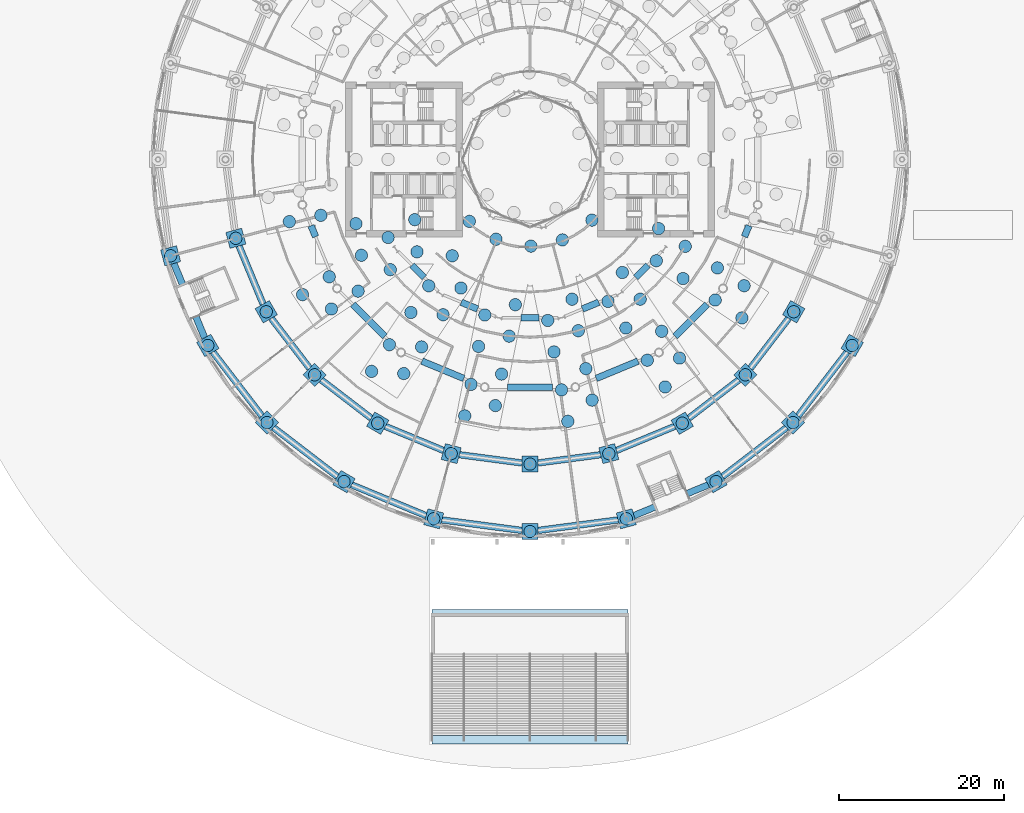
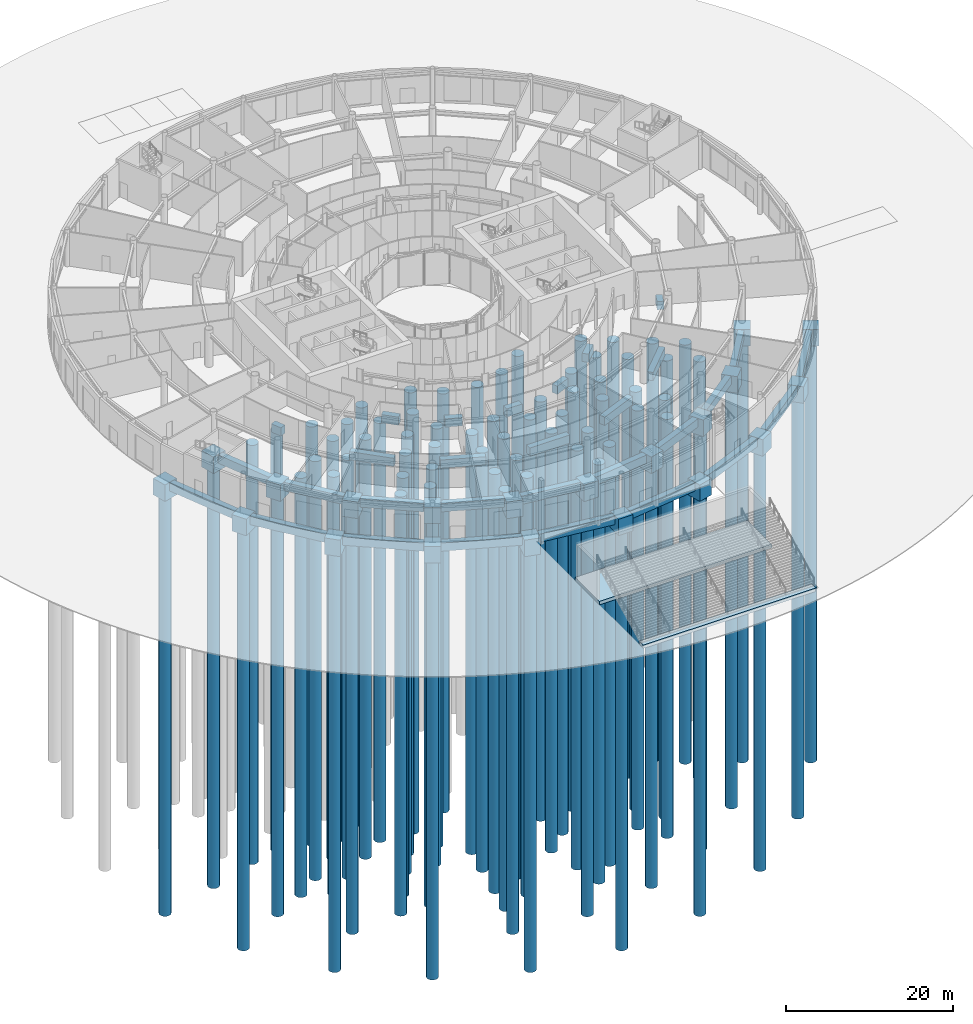
# One storey, part 1 of 41: 78 piles, 52 footings.
"""IFC4 building model written with IfcOpenShell, lengths in metres."""

from ifc_helpers import new_model, si_unit, direction, frame, origin, origin_2d, place, context, subcontext, project, spatial, polyline, rectangle, circle, outline, extrude, material, layer, layer_set, material_profile, profile_set, type_object, element, save


model = new_model("IFC4")

# Units and contexts
model_context = context("Model", 3, precision=1e-05, world=origin(), true_north=direction((0.0, 1.0)))
body_context = subcontext(model_context, "Body", "Model", "MODEL_VIEW")
ifc_project = project(units=[si_unit("LENGTHUNIT", "METRE"), si_unit("AREAUNIT", "SQUARE_METRE"), si_unit("VOLUMEUNIT", "CUBIC_METRE"), si_unit("PLANEANGLEUNIT", "RADIAN"), si_unit("MASSUNIT", "GRAM", prefix="KILO")], contexts=[model_context])

# Site, building, storey
site_placement = place(None, origin())
site = spatial("IfcSite", under=ifc_project, at=site_placement, CompositionType="ELEMENT")
building_placement = place(site_placement, origin())
building = spatial("IfcBuilding", under=site, at=building_placement, Name="Maasbend Ring Residences", CompositionType="ELEMENT")
storey_placement = place(building_placement, origin())
storey = spatial("IfcBuildingStorey", under=building, at=storey_placement, Name="L00", CompositionType="ELEMENT", Elevation=0.0)

# Piles
ifc_material_1 = material(Name="Concrete C35/45", Category="concrete")
ifc_material_profile_1 = material_profile(ifc_material_1, circle(Radius=0.75, at=origin_2d()), Name="Bored pile D1500")
ifc_profile_set_1 = profile_set([ifc_material_profile_1], Name="Concrete C35/45")
pile_type = type_object("IfcPileType", Name="Bored pile D1500", PredefinedType="BORED", material=ifc_profile_set_1)
for number, where, z_axis, x_axis, name in (
    (1, (4.594970703125, -31.814697265625, -2.75), (0.0, 0.0, -1.0), (1.0, 0.0, 0.0), "Bored pile P025"),
    (2, (-7.9296875, -31.151611328125, -2.75), (0.0, 0.0, -1.0), (1.0, 0.0, 0.0), "Bored pile P026"),
    (3, (-4.214599609375, -29.90234375, -2.75), (0.0, 0.0, -1.0), (1.0, 0.0, 0.0), "Bored pile P027"),
    (4, (7.54931640625, -29.239013671875, -2.75), (0.0, 0.0, -1.0), (1.0, 0.0, 0.0), "Bored pile P028"),
    (5, (3.834228515625, -27.98974609375, -2.75), (0.0, 0.0, -1.0), (1.0, 0.0, 0.0), "Bored pile P029"),
    (6, (16.42041015625, -27.634521484375, -2.75), (0.0, 0.0, -1.0), (1.0, 0.0, 0.0), "Bored pile P030"),
    (7, (-7.168701171875, -27.326416015625, -2.75), (0.0, 0.0, -1.0), (1.0, 0.0, 0.0), "Bored pile P031"),
    (8, (-3.45361328125, -26.0771484375, -2.75), (0.0, 0.0, -1.0), (1.0, 0.0, 0.0), "Bored pile P032"),
    (9, (-15.3369140625, -26.01318359375, -2.75), (0.0, 0.0, -1.0), (1.0, 0.0, 0.0), "Bored pile P033"),
    (10, (-19.247314453125, -25.74560546875, -2.75), (0.0, 0.0, -1.0), (1.0, 0.0, 0.0), "Bored pile P034"),
    (11, (6.788330078125, -25.413818359375, -2.75), (0.0, 0.0, -1.0), (1.0, 0.0, 0.0), "Bored pile P035"),
    (12, (14.253662109375, -24.391845703125, -2.75), (0.0, 0.0, -1.0), (1.0, 0.0, 0.0), "Bored pile P036"),
    (13, (18.1640625, -24.124267578125, -2.75), (0.0, 0.0, -1.0), (1.0, 0.0, 0.0), "Bored pile P037"),
    (14, (2.917236328125, -23.380126953125, -2.75), (0.0, 0.0, -1.0), (1.0, 0.0, 0.0), "Bored pile P038"),
    (15, (-13.170166015625, -22.7705078125, -2.75), (0.0, 0.0, -1.0), (1.0, 0.0, 0.0), "Bored pile P039"),
    (16, (-6.251953125, -22.716796875, -2.75), (0.0, 0.0, -1.0), (1.0, 0.0, 0.0), "Bored pile P040"),
    (17, (-17.08056640625, -22.5029296875, -2.75), (0.0, 0.0, -1.0), (1.0, 0.0, 0.0), "Bored pile P041"),
    (18, (-2.536865234375, -21.467529296875, -2.75), (0.0, 0.0, -1.0), (1.0, 0.0, 0.0), "Bored pile P042"),
    (19, (15.997314453125, -20.881591796875, -2.75), (0.0, 0.0, -1.0), (1.0, 0.0, 0.0), "Bored pile P043"),
    (20, (5.87158203125, -20.80419921875, -2.75), (0.0, 0.0, -1.0), (1.0, 0.0, 0.0), "Bored pile P044"),
    (21, (11.642333984375, -20.48388671875, -2.75), (0.0, 0.0, -1.0), (1.0, 0.0, 0.0), "Bored pile P045"),
    (22, (2.156494140625, -19.55517578125, -2.75), (0.0, 0.0, -1.0), (1.0, 0.0, 0.0), "Bored pile P046"),
    (23, (25.74560546875, -19.247314453125, -2.75), (0.0, 0.0, -1.0), (1.0, 0.0, 0.0), "Bored pile P047"),
    (24, (-5.4912109375, -18.8916015625, -2.75), (0.0, 0.0, -1.0), (1.0, 0.0, 0.0), "Bored pile P048"),
    (25, (-10.55908203125, -18.862548828125, -2.75), (0.0, 0.0, -1.0), (1.0, 0.0, 0.0), "Bored pile P049"),
    (26, (-14.469482421875, -18.59521484375, -2.75), (0.0, 0.0, -1.0), (1.0, 0.0, 0.0), "Bored pile P050"),
    (27, (-24.124267578125, -18.1640625, -2.75), (0.0, 0.0, -1.0), (1.0, 0.0, 0.0), "Bored pile P051"),
    (28, (-1.77587890625, -17.642578125, -2.75), (0.0, 0.0, -1.0), (1.0, 0.0, 0.0), "Bored pile P052"),
    (29, (9.4755859375, -17.2412109375, -2.75), (0.0, 0.0, -1.0), (1.0, 0.0, 0.0), "Bored pile P053"),
    (30, (22.5029296875, -17.08056640625, -2.75), (0.0, 0.0, -1.0), (1.0, 0.0, 0.0), "Bored pile P054"),
    (31, (5.110595703125, -16.979248046875, -2.75), (0.0, 0.0, -1.0), (1.0, 0.0, 0.0), "Bored pile P055"),
    (32, (13.385986328125, -16.9736328125, -2.75), (0.0, 0.0, -1.0), (1.0, 0.0, 0.0), "Bored pile P056"),
    (33, (-27.634521484375, -16.42041015625, -2.75), (0.0, 0.0, -1.0), (1.0, 0.0, 0.0), "Bored pile P057"),
    (34, (-20.881591796875, -15.997314453125, -2.75), (0.0, 0.0, -1.0), (1.0, 0.0, 0.0), "Bored pile P058"),
    (35, (-8.392333984375, -15.619873046875, -2.75), (0.0, 0.0, -1.0), (1.0, 0.0, 0.0), "Bored pile P059"),
    (36, (-12.302734375, -15.352294921875, -2.75), (0.0, 0.0, -1.0), (1.0, 0.0, 0.0), "Bored pile P060"),
    (37, (26.01318359375, -15.3369140625, -2.75), (0.0, 0.0, -1.0), (1.0, 0.0, 0.0), "Bored pile P061"),
    (38, (18.59521484375, -14.469482421875, -2.75), (0.0, 0.0, -1.0), (1.0, 0.0, 0.0), "Bored pile P062"),
    (39, (-24.391845703125, -14.253662109375, -2.75), (0.0, 0.0, -1.0), (1.0, 0.0, 0.0), "Bored pile P063"),
    (40, (11.21923828125, -13.73095703125, -2.75), (0.0, 0.0, -1.0), (1.0, 0.0, 0.0), "Bored pile P064"),
    (41, (-16.9736328125, -13.385986328125, -2.75), (0.0, 0.0, -1.0), (1.0, 0.0, 0.0), "Bored pile P065"),
    (42, (22.7705078125, -13.170166015625, -2.75), (0.0, 0.0, -1.0), (1.0, 0.0, 0.0), "Bored pile P066"),
    (43, (15.352294921875, -12.302734375, -2.75), (0.0, 0.0, -1.0), (1.0, 0.0, 0.0), "Bored pile P067"),
    (44, (-9.449951171875, -11.699951171875, -2.75), (0.0, 0.0, -1.0), (1.0, 0.0, 0.0), "Bored pile P068"),
    (45, (-20.48388671875, -11.642333984375, -2.75), (0.0, 0.0, -1.0), (1.0, 0.0, 0.0), "Bored pile P069"),
    (46, (-13.73095703125, -11.21923828125, -2.75), (0.0, 0.0, -1.0), (1.0, 0.0, 0.0), "Bored pile P070"),
    (47, (18.862548828125, -10.55908203125, -2.75), (0.0, 0.0, -1.0), (1.0, 0.0, 0.0), "Bored pile P071"),
    (48, (0.106689453125, -10.531494140625, -2.75), (0.0, 0.0, -1.0), (1.0, 0.0, 0.0), "Bored pile P072"),
    (49, (3.931884765625, -9.770751953125, -2.75), (0.0, 0.0, -1.0), (1.0, 0.0, 0.0), "Bored pile P073"),
    (50, (-4.12890625, -9.68896484375, -2.75), (0.0, 0.0, -1.0), (1.0, 0.0, 0.0), "Bored pile P074"),
    (51, (-17.2412109375, -9.4755859375, -2.75), (0.0, 0.0, -1.0), (1.0, 0.0, 0.0), "Bored pile P075"),
    (52, (15.619873046875, -8.392333984375, -2.75), (0.0, 0.0, -1.0), (1.0, 0.0, 0.0), "Bored pile P076"),
    (53, (-21.14990234375, -7.800048828125, -2.75), (0.0, 0.0, -1.0), (1.0, 0.0, 0.0), "Bored pile P078"),
    (54, (-29.239013671875, -7.54931640625, -2.75), (0.0, 0.0, -1.0), (1.0, 0.0, 0.0), "Bored pile P079"),
    (55, (-7.37158203125, -7.522216796875, -2.75), (0.0, 0.0, -1.0), (1.0, 0.0, 0.0), "Bored pile P080"),
    (56, (7.522216796875, -7.37158203125, -2.75), (0.0, 0.0, -1.0), (1.0, 0.0, 0.0), "Bored pile P081"),
    (57, (-13.99853515625, -7.30908203125, -2.75), (0.0, 0.0, -1.0), (1.0, 0.0, 0.0), "Bored pile P082"),
    (58, (-25.413818359375, -6.788330078125, -2.75), (0.0, 0.0, -1.0), (1.0, 0.0, 0.0), "Bored pile P084"),
    (59, (-35.7392578125, -9.576416015625, -2.75), (0.0, 0.0, -1.0), (1.0, 0.0, 0.0), "Bored pile P181"),
    (60, (-43.659912109375, -11.698486328125, -2.75), (0.0, 0.0, -1.0), (1.0, 0.0, 0.0), "Bored pile P182"),
    (61, (-32.04296875, -18.5, -2.75), (0.0, 0.0, -1.0), (1.0, 0.0, 0.0), "Bored pile P183"),
    (62, (-39.144287109375, -22.60009765625, -2.75), (0.0, 0.0, -1.0), (1.0, 0.0, 0.0), "Bored pile P184"),
    (63, (-26.1630859375, -26.1630859375, -2.75), (0.0, 0.0, -1.0), (1.0, 0.0, 0.0), "Bored pile P185"),
    (64, (-31.961181640625, -31.961181640625, -2.75), (0.0, 0.0, -1.0), (1.0, 0.0, 0.0), "Bored pile P186"),
    (65, (-18.5, -32.04296875, -2.75), (0.0, 0.0, -1.0), (1.0, 0.0, 0.0), "Bored pile P187"),
    (66, (-22.60009765625, -39.144287109375, -2.75), (0.0, 0.0, -1.0), (1.0, 0.0, 0.0), "Bored pile P188"),
    (67, (-9.576416015625, -35.7392578125, -2.75), (0.0, 0.0, -1.0), (1.0, 0.0, 0.0), "Bored pile P189"),
    (68, (-11.698486328125, -43.659912109375, -2.75), (0.0, 0.0, -1.0), (1.0, 0.0, 0.0), "Bored pile P190"),
    (69, (0.0, -37.0, -2.75), (0.0, 0.0, -1.0), (1.0, 0.0, 0.0), "Bored pile P191"),
    (70, (0.0, -45.199951171875, -2.75), (0.0, 0.0, -1.0), (1.0, 0.0, 0.0), "Bored pile P192"),
    (71, (9.576416015625, -35.7392578125, -2.75), (0.0, 0.0, -1.0), (1.0, 0.0, 0.0), "Bored pile P193"),
    (72, (11.698486328125, -43.659912109375, -2.75), (0.0, 0.0, -1.0), (1.0, 0.0, 0.0), "Bored pile P194"),
    (73, (18.5, -32.04296875, -2.75), (0.0, 0.0, -1.0), (1.0, 0.0, 0.0), "Bored pile P195"),
    (74, (22.60009765625, -39.144287109375, -2.75), (0.0, 0.0, -1.0), (1.0, 0.0, 0.0), "Bored pile P196"),
    (75, (26.1630859375, -26.1630859375, -2.75), (0.0, 0.0, -1.0), (1.0, 0.0, 0.0), "Bored pile P197"),
    (76, (31.961181640625, -31.961181640625, -2.75), (0.0, 0.0, -1.0), (1.0, 0.0, 0.0), "Bored pile P198"),
    (77, (32.04296875, -18.5, -2.75), (0.0, 0.0, -1.0), (1.0, 0.0, 0.0), "Bored pile P199"),
    (78, (39.144287109375, -22.60009765625, -2.75), (0.0, 0.0, -1.0), (1.0, 0.0, 0.0), "Bored pile P200"),
):
    element("IfcPile", number, at=place(storey_placement, frame(where, z_axis=z_axis, x_axis=x_axis)), inside=storey, type_object=pile_type, Name=name, PredefinedType="BORED", context=body_context, shape_type="SweptSolid", body=[
        extrude(circle(Radius=0.75, at=origin_2d()), origin(), (0.0, 0.0, 1.0), 61.14990234375),
    ])

# Footings
ifc_material_2 = material(Name="Concrete C30/37", Category="concrete")
ifc_layer_1 = layer(ifc_material_2, 0.5)
ifc_layer_set_1 = layer_set([ifc_layer_1], Name="Concrete C30/37")
footing_type_1 = type_object("IfcFootingType", Name="FOOT-STAIR", PredefinedType="STRIP_FOOTING", material=ifc_layer_set_1)
footing_1_placement = place(storey_placement, frame((0.0, 0.0, -0.5)))
element("IfcFooting", 79, at=footing_1_placement, inside=storey, type_object=footing_type_1, Name="Stair terrace raft", PredefinedType="STRIP_FOOTING", context=body_context, shape_type="SweptSolid", body=[
    extrude(outline(polyline([(-11.89990234375, -60.5), (11.89990234375, -60.5), (11.89990234375, -54.699951171875), (-11.89990234375, -54.699951171875), (-11.89990234375, -60.5)])), origin(), (0.0, 0.0, 1.0), 0.5),
])
footing_2_placement = place(storey_placement, frame((0.0, 0.0, -0.5)))
element("IfcFooting", 80, at=footing_2_placement, inside=storey, type_object=footing_type_1, Name="Stair foot strip footing", PredefinedType="STRIP_FOOTING", context=body_context, shape_type="SweptSolid", body=[
    extrude(outline(polyline([(-11.89990234375, -71.0), (11.89990234375, -71.0), (11.89990234375, -70.0), (-11.89990234375, -70.0), (-11.89990234375, -71.0)])), origin(), (0.0, 0.0, 1.0), 0.5),
])
ifc_material_3 = material(Name="Concrete C40/50", Category="concrete")
ifc_material_profile_2 = material_profile(ifc_material_3, rectangle(XDim=0.800048828125, YDim=1.199951171875, at=origin_2d()), Name="Ground beam RC 800x1200")
ifc_profile_set_2 = profile_set([ifc_material_profile_2], Name="Concrete C40/50")
footing_type_2 = type_object("IfcFootingType", Name="Ground beam RC 800x1200", PredefinedType="FOOTING_BEAM", material=ifc_profile_set_2)
footing_3_placement = place(storey_placement, frame((-26.603515625, -8.047607421875, -1.10009765625), z_axis=(0.38268475408, -0.923878985038, 0.0), x_axis=(0.923878985038, 0.38268475408, 0.0)))
element("IfcFooting", 81, at=footing_3_placement, inside=storey, type_object=footing_type_2, Name="Ground beam", PredefinedType="FOOTING_BEAM", context=body_context, shape_type="SweptSolid", body=[
    extrude(rectangle(XDim=0.800048828125, YDim=1.199951171875, at=origin_2d()), origin(), (0.0, 0.0, 1.0), 1.4462890625),
])
footing_4_placement = place(storey_placement, frame((-21.500732421875, -17.61376953125, -1.10009765625), z_axis=(0.707106781187, -0.707106781187, 0.0), x_axis=(0.707106781187, 0.707106781187, 0.0)))
element("IfcFooting", 82, at=footing_4_placement, inside=storey, type_object=footing_type_2, Name="Ground beam", PredefinedType="FOOTING_BEAM", context=body_context, shape_type="SweptSolid", body=[
    extrude(rectangle(XDim=0.800048828125, YDim=1.199951171875, at=origin_2d()), origin(), (0.0, 0.0, 1.0), 5.4970703125),
])
footing_5_placement = place(storey_placement, frame((-13.123779296875, -24.5009765625, -1.10009765625), z_axis=(0.923888501881, -0.382661777673, 0.0), x_axis=(0.382661777673, 0.923888501881, 0.0)))
element("IfcFooting", 83, at=footing_5_placement, inside=storey, type_object=footing_type_2, Name="Ground beam", PredefinedType="FOOTING_BEAM", context=body_context, shape_type="SweptSolid", body=[
    extrude(rectangle(XDim=0.800048828125, YDim=1.199951171875, at=origin_2d()), origin(), (0.0, 0.0, 1.0), 5.4951171875),
])
footing_6_placement = place(storey_placement, frame((-2.74853515625, -27.658203125, -1.10009765625), z_axis=(1.0, 0.0, 0.0), x_axis=(0.0, 1.0, 0.0)))
element("IfcFooting", 84, at=footing_6_placement, inside=storey, type_object=footing_type_2, Name="Ground beam", PredefinedType="FOOTING_BEAM", context=body_context, shape_type="SweptSolid", body=[
    extrude(rectangle(XDim=0.800048828125, YDim=1.199951171875, at=origin_2d()), origin(), (0.0, 0.0, 1.0), 5.495849609375),
])
footing_7_placement = place(storey_placement, frame((8.046875, -26.603759765625, -1.10009765625), z_axis=(0.923879300726, 0.382683991943, 0.0), x_axis=(-0.382683991943, 0.923879300726, 0.0)))
element("IfcFooting", 85, at=footing_7_placement, inside=storey, type_object=footing_type_2, Name="Ground beam", PredefinedType="FOOTING_BEAM", context=body_context, shape_type="SweptSolid", body=[
    extrude(rectangle(XDim=0.800048828125, YDim=1.199951171875, at=origin_2d()), origin(), (0.0, 0.0, 1.0), 5.495361328125),
])
footing_8_placement = place(storey_placement, frame((17.61376953125, -21.500732421875, -1.10009765625), z_axis=(0.707106781187, 0.707106781187, 0.0), x_axis=(-0.707106781187, 0.707106781187, 0.0)))
element("IfcFooting", 86, at=footing_8_placement, inside=storey, type_object=footing_type_2, Name="Ground beam", PredefinedType="FOOTING_BEAM", context=body_context, shape_type="SweptSolid", body=[
    extrude(rectangle(XDim=0.800048828125, YDim=1.199951171875, at=origin_2d()), origin(), (0.0, 0.0, 1.0), 5.4970703125),
])
footing_9_placement = place(storey_placement, frame((26.050048828125, -9.3837890625, -1.10009765625), z_axis=(0.38268475408, 0.923878985038, 0.0), x_axis=(-0.923878985038, 0.38268475408, 0.0)))
element("IfcFooting", 87, at=footing_9_placement, inside=storey, type_object=footing_type_2, Name="Ground beam", PredefinedType="FOOTING_BEAM", context=body_context, shape_type="SweptSolid", body=[
    extrude(rectangle(XDim=0.800048828125, YDim=1.199951171875, at=origin_2d()), origin(), (0.0, 0.0, 1.0), 1.4462890625),
])
footing_10_placement = place(storey_placement, frame((-14.35009765625, -12.8359375, -1.10009765625), z_axis=(0.707163780645, -0.707049777133, 0.0), x_axis=(0.707049777133, 0.707163780645, 0.0)))
element("IfcFooting", 88, at=footing_10_placement, inside=storey, type_object=footing_type_2, Name="Ground beam", PredefinedType="FOOTING_BEAM", context=body_context, shape_type="SweptSolid", body=[
    extrude(rectangle(XDim=0.800048828125, YDim=1.199951171875, at=origin_2d()), origin(), (0.0, 0.0, 1.0), 2.1416015625),
])
footing_11_placement = place(storey_placement, frame((-8.345947265625, -17.350341796875, -1.10009765625), z_axis=(0.923899833091, -0.382634418752, 0.0), x_axis=(0.382634418752, 0.923899833091, 0.0)))
element("IfcFooting", 89, at=footing_11_placement, inside=storey, type_object=footing_type_2, Name="Ground beam", PredefinedType="FOOTING_BEAM", context=body_context, shape_type="SweptSolid", body=[
    extrude(rectangle(XDim=0.800048828125, YDim=1.199951171875, at=origin_2d()), origin(), (0.0, 0.0, 1.0), 2.13623046875),
])
footing_12_placement = place(storey_placement, frame((-1.07080078125, -19.223388671875, -1.10009765625), z_axis=(1.0, 0.0, 0.0), x_axis=(0.0, 1.0, 0.0)))
element("IfcFooting", 90, at=footing_12_placement, inside=storey, type_object=footing_type_2, Name="Ground beam", PredefinedType="FOOTING_BEAM", context=body_context, shape_type="SweptSolid", body=[
    extrude(rectangle(XDim=0.800048828125, YDim=1.199951171875, at=origin_2d()), origin(), (0.0, 0.0, 1.0), 2.13818359375),
])
footing_13_placement = place(storey_placement, frame((6.372314453125, -18.167724609375, -1.10009765625), z_axis=(0.923859427277, 0.382731967089, 0.0), x_axis=(-0.382731967089, 0.923859427277, 0.0)))
element("IfcFooting", 91, at=footing_13_placement, inside=storey, type_object=footing_type_2, Name="Ground beam", PredefinedType="FOOTING_BEAM", context=body_context, shape_type="SweptSolid", body=[
    extrude(rectangle(XDim=0.800048828125, YDim=1.199951171875, at=origin_2d()), origin(), (0.0, 0.0, 1.0), 2.13623046875),
])
footing_14_placement = place(storey_placement, frame((12.835693359375, -14.35009765625, -1.10009765625), z_axis=(0.707163780645, 0.707049777133, 0.0), x_axis=(-0.707049777133, 0.707163780645, 0.0)))
element("IfcFooting", 92, at=footing_14_placement, inside=storey, type_object=footing_type_2, Name="Ground beam", PredefinedType="FOOTING_BEAM", context=body_context, shape_type="SweptSolid", body=[
    extrude(rectangle(XDim=0.800048828125, YDim=1.199951171875, at=origin_2d()), origin(), (0.0, 0.0, 1.0), 2.1416015625),
])
footing_15_placement = place(storey_placement, frame((-35.353271484375, -10.508056640625, -1.10009765625), z_axis=(0.382677220428, -0.923882105555, 0.0), x_axis=(0.923882105555, 0.382677220428, 0.0)))
element("IfcFooting", 93, at=footing_15_placement, inside=storey, type_object=footing_type_2, Name="Ground beam", PredefinedType="FOOTING_BEAM", context=body_context, shape_type="SweptSolid", body=[
    extrude(rectangle(XDim=0.800048828125, YDim=1.199951171875, at=origin_2d()), origin(), (0.0, 0.0, 1.0), 7.641845703125),
])
for number, where, z_axis, x_axis, name in (
    (94, (-31.428955078125, -19.30029296875, -1.10009765625), (0.608756124935, -0.793357410222, 0.0), (0.793357410222, 0.608756124935, 0.0), "Ground beam"),
    (95, (-25.36279296875, -26.777099609375, -1.10009765625), (0.793357410222, -0.608756124935, 0.0), (0.608756124935, 0.793357410222, 0.0), "Ground beam"),
):
    element("IfcFooting", number, at=place(storey_placement, frame(where, z_axis=z_axis, x_axis=x_axis)), inside=storey, type_object=footing_type_2, Name=name, PredefinedType="FOOTING_BEAM", context=body_context, shape_type="SweptSolid", body=[
        extrude(rectangle(XDim=0.800048828125, YDim=1.199951171875, at=origin_2d()), origin(), (0.0, 0.0, 1.0), 7.6416015625),
    ])
for number, where, z_axis, x_axis, name in (
    (96, (-17.568115234375, -32.428955078125, -1.10009765625), (0.923882105555, -0.382677220428, 0.0), (0.382677220428, 0.923882105555, 0.0), "Ground beam"),
    (97, (-8.576416015625, -35.870849609375, -1.10009765625), (0.991443091593, -0.130539634333, 0.0), (0.130539634333, 0.991443091593, 0.0), "Ground beam"),
    (98, (1.0, -36.868408203125, -1.10009765625), (0.991443091593, 0.130539634333, 0.0), (-0.130539634333, 0.991443091593, 0.0), "Ground beam"),
    (99, (10.508056640625, -35.353271484375, -1.10009765625), (0.923882105555, 0.382677220428, 0.0), (-0.382677220428, 0.923882105555, 0.0), "Ground beam"),
):
    element("IfcFooting", number, at=place(storey_placement, frame(where, z_axis=z_axis, x_axis=x_axis)), inside=storey, type_object=footing_type_2, Name=name, PredefinedType="FOOTING_BEAM", context=body_context, shape_type="SweptSolid", body=[
        extrude(rectangle(XDim=0.800048828125, YDim=1.199951171875, at=origin_2d()), origin(), (0.0, 0.0, 1.0), 7.641845703125),
    ])
for number, where, z_axis, x_axis, name in (
    (100, (19.30029296875, -31.428955078125, -1.10009765625), (0.793357410222, 0.608756124935, 0.0), (-0.608756124935, 0.793357410222, 0.0), "Ground beam"),
    (101, (26.777099609375, -25.36279296875, -1.10009765625), (0.608756124935, 0.793357410222, 0.0), (-0.793357410222, 0.608756124935, 0.0), "Ground beam"),
):
    element("IfcFooting", number, at=place(storey_placement, frame(where, z_axis=z_axis, x_axis=x_axis)), inside=storey, type_object=footing_type_2, Name=name, PredefinedType="FOOTING_BEAM", context=body_context, shape_type="SweptSolid", body=[
        extrude(rectangle(XDim=0.800048828125, YDim=1.199951171875, at=origin_2d()), origin(), (0.0, 0.0, 1.0), 7.6416015625),
    ])
for number, where, z_axis, x_axis, name in (
    (102, (-43.273681640625, -12.630615234375, -1.10009765625), (0.382675813402, -0.923882688352, 0.0), (0.923882688352, 0.382675813402, 0.0), "Ground beam"),
    (103, (-38.5302734375, -23.400146484375, -1.10009765625), (0.608764723177, -0.793350812576, 0.0), (0.793350812576, 0.608764723177, 0.0), "Ground beam"),
    (104, (-31.160888671875, -32.5751953125, -1.10009765625), (0.793350812576, -0.608764723177, 0.0), (0.608764723177, 0.793350812576, 0.0), "Ground beam"),
    (105, (-21.668212890625, -39.5302734375, -1.10009765625), (0.923882688352, -0.382675813402, 0.0), (0.382675813402, 0.923882688352, 0.0), "Ground beam"),
    (106, (-10.698486328125, -43.79150390625, -1.10009765625), (0.991444523753, -0.130528756683, 0.0), (0.130528756683, 0.991444523753, 0.0), "Ground beam"),
    (107, (1.0, -45.068359375, -1.10009765625), (0.991444523753, 0.130528756683, 0.0), (-0.130528756683, 0.991444523753, 0.0), "Ground beam"),
    (108, (12.630615234375, -43.273681640625, -1.10009765625), (0.923882688352, 0.382675813402, 0.0), (-0.382675813402, 0.923882688352, 0.0), "Ground beam"),
    (109, (23.400146484375, -38.5302734375, -1.10009765625), (0.793350812576, 0.608764723177, 0.0), (-0.608764723177, 0.793350812576, 0.0), "Ground beam"),
    (110, (32.5751953125, -31.160888671875, -1.10009765625), (0.608764723177, 0.793350812576, 0.0), (-0.793350812576, 0.608764723177, 0.0), "Ground beam"),
):
    element("IfcFooting", number, at=place(storey_placement, frame(where, z_axis=z_axis, x_axis=x_axis)), inside=storey, type_object=footing_type_2, Name=name, PredefinedType="FOOTING_BEAM", context=body_context, shape_type="SweptSolid", body=[
        extrude(rectangle(XDim=0.800048828125, YDim=1.199951171875, at=origin_2d()), origin(), (0.0, 0.0, 1.0), 9.7822265625),
    ])
ifc_material_4 = material(Name="Concrete C40/50", Category="concrete")
ifc_layer_2 = layer(ifc_material_4, 2.39990234375)
ifc_layer_set_2 = layer_set([ifc_layer_2], Name="Concrete C40/50")
footing_type_3 = type_object("IfcFootingType", Name="Pile cap 2400", PredefinedType="PILE_CAP", material=ifc_layer_set_2)
footing_16_placement = place(storey_placement, frame((0.0, 0.0, -2.89990234375)))
element("IfcFooting", 111, at=footing_16_placement, inside=storey, type_object=footing_type_3, Name="Pile cap PC28 on 1 piles", PredefinedType="PILE_CAP", context=body_context, shape_type="SweptSolid", body=[
    extrude(outline(polyline([(-35.0322265625, -8.3515625), (-36.964111328125, -8.869140625), (-36.4462890625, -10.801025390625), (-34.5146484375, -10.283447265625), (-35.0322265625, -8.3515625)])), origin(), (0.0, 0.0, 1.0), 2.39990234375),
])
footing_17_placement = place(storey_placement, frame((0.0, 0.0, -2.89990234375)))
element("IfcFooting", 112, at=footing_17_placement, inside=storey, type_object=footing_type_3, Name="Pile cap PC29 on 1 piles", PredefinedType="PILE_CAP", context=body_context, shape_type="SweptSolid", body=[
    extrude(outline(polyline([(-42.95263671875, -10.473876953125), (-44.884521484375, -10.991455078125), (-44.366943359375, -12.92333984375), (-42.43505859375, -12.40576171875), (-42.95263671875, -10.473876953125)])), origin(), (0.0, 0.0, 1.0), 2.39990234375),
])
footing_18_placement = place(storey_placement, frame((0.0, 0.0, -2.89990234375)))
element("IfcFooting", 113, at=footing_18_placement, inside=storey, type_object=footing_type_3, Name="Pile cap PC30 on 1 piles", PredefinedType="PILE_CAP", context=body_context, shape_type="SweptSolid", body=[
    extrude(outline(polyline([(-31.677001953125, -17.134033203125), (-33.408935546875, -18.134033203125), (-32.408935546875, -19.865966796875), (-30.677001953125, -18.865966796875), (-31.677001953125, -17.134033203125)])), origin(), (0.0, 0.0, 1.0), 2.39990234375),
])
footing_19_placement = place(storey_placement, frame((0.0, 0.0, -2.89990234375)))
element("IfcFooting", 114, at=footing_19_placement, inside=storey, type_object=footing_type_3, Name="Pile cap PC31 on 1 piles", PredefinedType="PILE_CAP", context=body_context, shape_type="SweptSolid", body=[
    extrude(outline(polyline([(-38.7783203125, -21.23388671875), (-40.51025390625, -22.23388671875), (-39.51025390625, -23.966064453125), (-37.7783203125, -22.966064453125), (-38.7783203125, -21.23388671875)])), origin(), (0.0, 0.0, 1.0), 2.39990234375),
])
footing_20_placement = place(storey_placement, frame((0.0, 0.0, -2.89990234375)))
element("IfcFooting", 115, at=footing_20_placement, inside=storey, type_object=footing_type_3, Name="Pile cap PC32 on 1 piles", PredefinedType="PILE_CAP", context=body_context, shape_type="SweptSolid", body=[
    extrude(outline(polyline([(-26.1630859375, -24.748779296875), (-27.5771484375, -26.1630859375), (-26.1630859375, -27.5771484375), (-24.748779296875, -26.1630859375), (-26.1630859375, -24.748779296875)])), origin(), (0.0, 0.0, 1.0), 2.39990234375),
])
footing_21_placement = place(storey_placement, frame((0.0, 0.0, -2.89990234375)))
element("IfcFooting", 116, at=footing_21_placement, inside=storey, type_object=footing_type_3, Name="Pile cap PC33 on 1 piles", PredefinedType="PILE_CAP", context=body_context, shape_type="SweptSolid", body=[
    extrude(outline(polyline([(-31.961181640625, -30.547119140625), (-33.37548828125, -31.961181640625), (-31.961181640625, -33.37548828125), (-30.547119140625, -31.961181640625), (-31.961181640625, -30.547119140625)])), origin(), (0.0, 0.0, 1.0), 2.39990234375),
])
footing_22_placement = place(storey_placement, frame((0.0, 0.0, -2.89990234375)))
element("IfcFooting", 117, at=footing_22_placement, inside=storey, type_object=footing_type_3, Name="Pile cap PC34 on 1 piles", PredefinedType="PILE_CAP", context=body_context, shape_type="SweptSolid", body=[
    extrude(outline(polyline([(-18.865966796875, -30.677001953125), (-19.865966796875, -32.408935546875), (-18.134033203125, -33.408935546875), (-17.134033203125, -31.677001953125), (-18.865966796875, -30.677001953125)])), origin(), (0.0, 0.0, 1.0), 2.39990234375),
])
footing_23_placement = place(storey_placement, frame((0.0, 0.0, -2.89990234375)))
element("IfcFooting", 118, at=footing_23_placement, inside=storey, type_object=footing_type_3, Name="Pile cap PC35 on 1 piles", PredefinedType="PILE_CAP", context=body_context, shape_type="SweptSolid", body=[
    extrude(outline(polyline([(-22.966064453125, -37.7783203125), (-23.966064453125, -39.51025390625), (-22.23388671875, -40.51025390625), (-21.23388671875, -38.7783203125), (-22.966064453125, -37.7783203125)])), origin(), (0.0, 0.0, 1.0), 2.39990234375),
])
footing_24_placement = place(storey_placement, frame((0.0, 0.0, -2.89990234375)))
element("IfcFooting", 119, at=footing_24_placement, inside=storey, type_object=footing_type_3, Name="Pile cap PC36 on 1 piles", PredefinedType="PILE_CAP", context=body_context, shape_type="SweptSolid", body=[
    extrude(outline(polyline([(-10.283447265625, -34.5146484375), (-10.801025390625, -36.4462890625), (-8.869140625, -36.964111328125), (-8.3515625, -35.0322265625), (-10.283447265625, -34.5146484375)])), origin(), (0.0, 0.0, 1.0), 2.39990234375),
])
footing_25_placement = place(storey_placement, frame((0.0, 0.0, -2.89990234375)))
element("IfcFooting", 120, at=footing_25_placement, inside=storey, type_object=footing_type_3, Name="Pile cap PC37 on 1 piles", PredefinedType="PILE_CAP", context=body_context, shape_type="SweptSolid", body=[
    extrude(outline(polyline([(-12.40576171875, -42.43505859375), (-12.92333984375, -44.366943359375), (-10.991455078125, -44.884521484375), (-10.473876953125, -42.95263671875), (-12.40576171875, -42.43505859375)])), origin(), (0.0, 0.0, 1.0), 2.39990234375),
])
footing_26_placement = place(storey_placement, frame((0.0, 0.0, -2.89990234375)))
element("IfcFooting", 121, at=footing_26_placement, inside=storey, type_object=footing_type_3, Name="Pile cap PC38 on 1 piles", PredefinedType="PILE_CAP", context=body_context, shape_type="SweptSolid", body=[
    extrude(outline(polyline([(-1.0, -36.0), (-1.0, -38.0), (1.0, -38.0), (1.0, -36.0), (-1.0, -36.0)])), origin(), (0.0, 0.0, 1.0), 2.39990234375),
])
footing_27_placement = place(storey_placement, frame((0.0, 0.0, -2.89990234375)))
element("IfcFooting", 122, at=footing_27_placement, inside=storey, type_object=footing_type_3, Name="Pile cap PC39 on 1 piles", PredefinedType="PILE_CAP", context=body_context, shape_type="SweptSolid", body=[
    extrude(outline(polyline([(-1.0, -44.199951171875), (-1.0, -46.199951171875), (1.0, -46.199951171875), (1.0, -44.199951171875), (-1.0, -44.199951171875)])), origin(), (0.0, 0.0, 1.0), 2.39990234375),
])
footing_28_placement = place(storey_placement, frame((0.0, 0.0, -2.89990234375)))
element("IfcFooting", 123, at=footing_28_placement, inside=storey, type_object=footing_type_3, Name="Pile cap PC40 on 1 piles", PredefinedType="PILE_CAP", context=body_context, shape_type="SweptSolid", body=[
    extrude(outline(polyline([(8.3515625, -35.0322265625), (8.869140625, -36.964111328125), (10.801025390625, -36.4462890625), (10.283447265625, -34.5146484375), (8.3515625, -35.0322265625)])), origin(), (0.0, 0.0, 1.0), 2.39990234375),
])
footing_29_placement = place(storey_placement, frame((0.0, 0.0, -2.89990234375)))
element("IfcFooting", 124, at=footing_29_placement, inside=storey, type_object=footing_type_3, Name="Pile cap PC41 on 1 piles", PredefinedType="PILE_CAP", context=body_context, shape_type="SweptSolid", body=[
    extrude(outline(polyline([(10.473876953125, -42.95263671875), (10.991455078125, -44.884521484375), (12.92333984375, -44.366943359375), (12.40576171875, -42.43505859375), (10.473876953125, -42.95263671875)])), origin(), (0.0, 0.0, 1.0), 2.39990234375),
])
footing_30_placement = place(storey_placement, frame((0.0, 0.0, -2.89990234375)))
element("IfcFooting", 125, at=footing_30_placement, inside=storey, type_object=footing_type_3, Name="Pile cap PC42 on 1 piles", PredefinedType="PILE_CAP", context=body_context, shape_type="SweptSolid", body=[
    extrude(outline(polyline([(17.134033203125, -31.677001953125), (18.134033203125, -33.408935546875), (19.865966796875, -32.408935546875), (18.865966796875, -30.677001953125), (17.134033203125, -31.677001953125)])), origin(), (0.0, 0.0, 1.0), 2.39990234375),
])
footing_31_placement = place(storey_placement, frame((0.0, 0.0, -2.89990234375)))
element("IfcFooting", 126, at=footing_31_placement, inside=storey, type_object=footing_type_3, Name="Pile cap PC43 on 1 piles", PredefinedType="PILE_CAP", context=body_context, shape_type="SweptSolid", body=[
    extrude(outline(polyline([(21.23388671875, -38.7783203125), (22.23388671875, -40.51025390625), (23.966064453125, -39.51025390625), (22.966064453125, -37.7783203125), (21.23388671875, -38.7783203125)])), origin(), (0.0, 0.0, 1.0), 2.39990234375),
])
footing_32_placement = place(storey_placement, frame((0.0, 0.0, -2.89990234375)))
element("IfcFooting", 127, at=footing_32_placement, inside=storey, type_object=footing_type_3, Name="Pile cap PC44 on 1 piles", PredefinedType="PILE_CAP", context=body_context, shape_type="SweptSolid", body=[
    extrude(outline(polyline([(24.748779296875, -26.1630859375), (26.1630859375, -27.5771484375), (27.5771484375, -26.1630859375), (26.1630859375, -24.748779296875), (24.748779296875, -26.1630859375)])), origin(), (0.0, 0.0, 1.0), 2.39990234375),
])
footing_33_placement = place(storey_placement, frame((0.0, 0.0, -2.89990234375)))
element("IfcFooting", 128, at=footing_33_placement, inside=storey, type_object=footing_type_3, Name="Pile cap PC45 on 1 piles", PredefinedType="PILE_CAP", context=body_context, shape_type="SweptSolid", body=[
    extrude(outline(polyline([(30.547119140625, -31.961181640625), (31.961181640625, -33.37548828125), (33.37548828125, -31.961181640625), (31.961181640625, -30.547119140625), (30.547119140625, -31.961181640625)])), origin(), (0.0, 0.0, 1.0), 2.39990234375),
])
footing_34_placement = place(storey_placement, frame((0.0, 0.0, -2.89990234375)))
element("IfcFooting", 129, at=footing_34_placement, inside=storey, type_object=footing_type_3, Name="Pile cap PC46 on 1 piles", PredefinedType="PILE_CAP", context=body_context, shape_type="SweptSolid", body=[
    extrude(outline(polyline([(30.677001953125, -18.865966796875), (32.408935546875, -19.865966796875), (33.408935546875, -18.134033203125), (31.677001953125, -17.134033203125), (30.677001953125, -18.865966796875)])), origin(), (0.0, 0.0, 1.0), 2.39990234375),
])
footing_35_placement = place(storey_placement, frame((0.0, 0.0, -2.89990234375)))
element("IfcFooting", 130, at=footing_35_placement, inside=storey, type_object=footing_type_3, Name="Pile cap PC47 on 1 piles", PredefinedType="PILE_CAP", context=body_context, shape_type="SweptSolid", body=[
    extrude(outline(polyline([(37.7783203125, -22.966064453125), (39.51025390625, -23.966064453125), (40.51025390625, -22.23388671875), (38.7783203125, -21.23388671875), (37.7783203125, -22.966064453125)])), origin(), (0.0, 0.0, 1.0), 2.39990234375),
])

save(model, "model.ifc")
